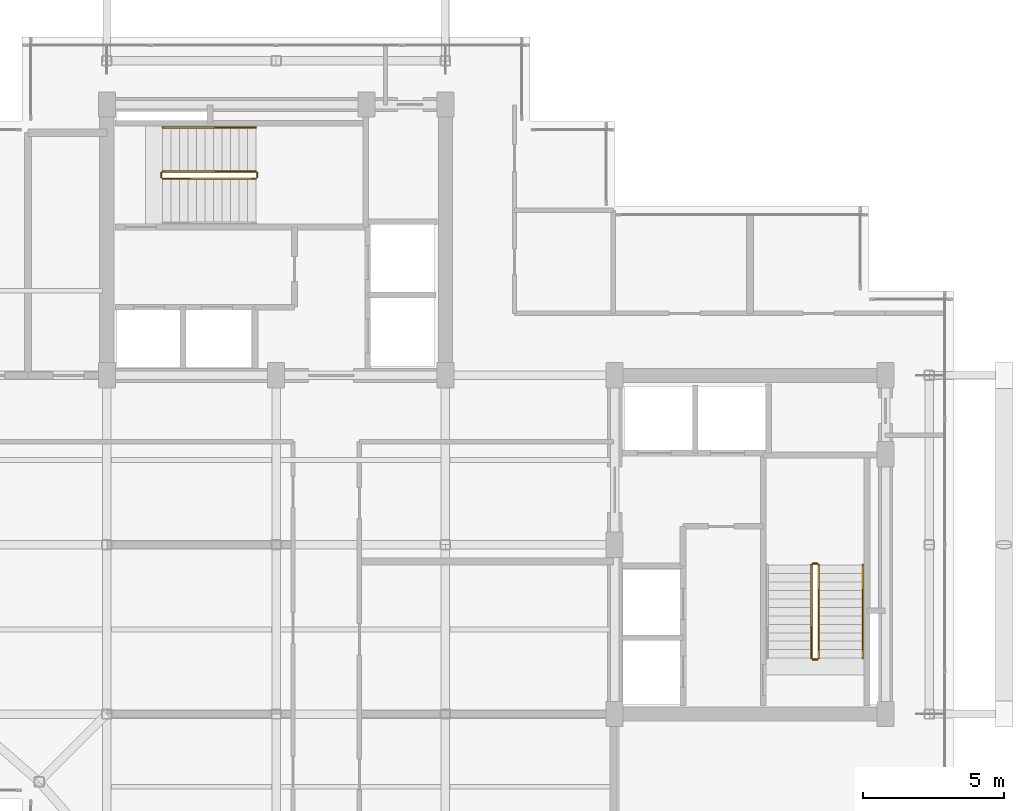
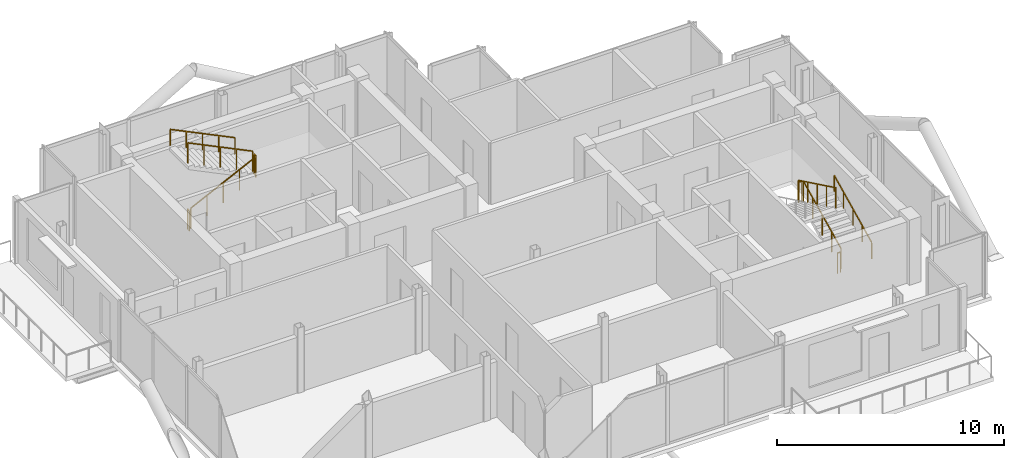
# One storey, part 19 of 19: 10 railings.
"""IFC4 building model written with IfcOpenShell, lengths in metres."""

from ifc_helpers import new_model, si_unit, direction, frame, origin, origin_2d, place, context, subcontext, project, spatial, rectangle, extrude, material, type_object, element, save


model = new_model("IFC4")

# Units and contexts
model_context = context("Model", 3, precision=1e-05, world=origin(), true_north=direction((0.0, 1.0)))
body_context = subcontext(model_context, "Body", "Model", "MODEL_VIEW")
ifc_project = project(units=[si_unit("LENGTHUNIT", "METRE"), si_unit("AREAUNIT", "SQUARE_METRE"), si_unit("VOLUMEUNIT", "CUBIC_METRE"), si_unit("PLANEANGLEUNIT", "RADIAN"), si_unit("MASSUNIT", "GRAM", prefix="KILO"), si_unit("THERMODYNAMICTEMPERATUREUNIT", "KELVIN"), si_unit("POWERUNIT", "WATT")], contexts=[model_context])

# Site, building, storey
site_placement = place(None, origin())
site = spatial("IfcSite", under=ifc_project, at=site_placement, CompositionType="ELEMENT")
building_placement = place(site_placement, origin())
building = spatial("IfcBuilding", under=site, at=building_placement, Name="Svarakhadi Broadcast Tower", CompositionType="ELEMENT")
storey_placement = place(building_placement, frame((0.0, 0.0, 285.199951171875)))
storey = spatial("IfcBuildingStorey", under=building, at=storey_placement, Name="L72", CompositionType="ELEMENT", Elevation=285.199951171875)

# Railings
ifc_material = material(Name="Anodised Bronze Aluminium AA 6063-T6", Category="aluminium")
railing_type_1 = type_object("IfcRailingType", Name="Guard_Stair_GR01", PredefinedType="GUARDRAIL", material=ifc_material)
railing_1_placement = place(storey_placement, frame((7.97998046875, 24.969970703125, 0.14599609375)))
element("IfcRailing", 1, at=railing_1_placement, inside=storey, type_object=railing_type_1, Name="L72 ST-01 stair guard 1", PredefinedType="GUARDRAIL", context=body_context, shape_type="SweptSolid", body=[
    extrude(rectangle(XDim=0.048095703125, YDim=0.048095703125, at=origin_2d()), frame((0.0, 0.0, 1.09619140625), z_axis=(0.899387838337, 0.0, 0.437151594131), x_axis=(0.0, 1.0, 0.0)), (0.0, 0.0, 1.0), 3.669189453125),
    extrude(rectangle(XDim=0.0419921875, YDim=0.0419921875, at=origin_2d()), origin(), (0.0, 0.0, 1.0), 1.072021484375),
    extrude(rectangle(XDim=0.0419921875, YDim=0.0419921875, at=origin_2d()), frame((0.824951171875, 0.0, 0.40087890625)), (0.0, 0.0, 1.0), 1.072021484375),
    extrude(rectangle(XDim=0.0419921875, YDim=0.0419921875, at=origin_2d()), frame((1.64990234375, 0.0, 0.802001953125)), (0.0, 0.0, 1.0), 1.072021484375),
    extrude(rectangle(XDim=0.0419921875, YDim=0.0419921875, at=origin_2d()), frame((2.47509765625, 0.0, 1.203125)), (0.0, 0.0, 1.0), 1.072021484375),
    extrude(rectangle(XDim=0.0419921875, YDim=0.0419921875, at=origin_2d()), frame((3.300048828125, 0.0, 1.60400390625)), (0.0, 0.0, 1.0), 1.072021484375),
])
railing_2_placement = place(storey_placement, frame((11.330078125, 25.02001953125, 1.75)))
element("IfcRailing", 2, at=railing_2_placement, inside=storey, type_object=railing_type_1, Name="L72 ST-01 stair guard 2", PredefinedType="GUARDRAIL", context=body_context, shape_type="SweptSolid", body=[
    extrude(rectangle(XDim=0.048095703125, YDim=0.048095703125, at=origin_2d()), frame((0.0, 0.0, 1.09619140625), z_axis=(0.0, 1.0, 0.0), x_axis=(-1.0, 0.0, 0.0)), (0.0, 0.0, 1.0), 0.159912109375),
    extrude(rectangle(XDim=0.0419921875, YDim=0.0419921875, at=origin_2d()), origin(), (0.0, 0.0, 1.0), 1.072021484375),
    extrude(rectangle(XDim=0.0419921875, YDim=0.0419921875, at=origin_2d()), frame((0.0, 0.159912109375, 0.0)), (0.0, 0.0, 1.0), 1.072021484375),
])
railing_3_placement = place(storey_placement, frame((11.280029296875, 25.22998046875, 1.89599609375)))
element("IfcRailing", 3, at=railing_3_placement, inside=storey, type_object=railing_type_1, Name="L72 ST-01 stair guard 3", PredefinedType="GUARDRAIL", context=body_context, shape_type="SweptSolid", body=[
    extrude(rectangle(XDim=0.048095703125, YDim=0.048095703125, at=origin_2d()), frame((0.0, 0.0, 1.09619140625), z_axis=(-0.899387838337, 0.0, 0.437151594131), x_axis=(0.0, -1.0, 0.0)), (0.0, 0.0, 1.0), 3.669189453125),
    extrude(rectangle(XDim=0.0419921875, YDim=0.0419921875, at=origin_2d()), origin(), (0.0, 0.0, 1.0), 1.072021484375),
    extrude(rectangle(XDim=0.0419921875, YDim=0.0419921875, at=origin_2d()), frame((-0.824951171875, 0.0, 0.40087890625)), (0.0, 0.0, 1.0), 1.072021484375),
    extrude(rectangle(XDim=0.0419921875, YDim=0.0419921875, at=origin_2d()), frame((-1.64990234375, 0.0, 0.802001953125)), (0.0, 0.0, 1.0), 1.072021484375),
    extrude(rectangle(XDim=0.0419921875, YDim=0.0419921875, at=origin_2d()), frame((-2.47509765625, 0.0, 1.203125)), (0.0, 0.0, 1.0), 1.072021484375),
    extrude(rectangle(XDim=0.0419921875, YDim=0.0419921875, at=origin_2d()), frame((-3.300048828125, 0.0, 1.60400390625)), (0.0, 0.0, 1.0), 1.072021484375),
])
railing_4_placement = place(storey_placement, frame((7.929931640625, 25.02001953125, 0.0)))
element("IfcRailing", 4, at=railing_4_placement, inside=storey, type_object=railing_type_1, Name="L72 ST-01 stair guard 4", PredefinedType="GUARDRAIL", context=body_context, shape_type="SweptSolid", body=[
    extrude(rectangle(XDim=0.048095703125, YDim=0.048095703125, at=origin_2d()), frame((0.0, 0.0, 1.09619140625), z_axis=(0.0, 1.0, 0.0), x_axis=(-1.0, 0.0, 0.0)), (0.0, 0.0, 1.0), 0.159912109375),
    extrude(rectangle(XDim=0.0419921875, YDim=0.0419921875, at=origin_2d()), origin(), (0.0, 0.0, 1.0), 1.072021484375),
    extrude(rectangle(XDim=0.0419921875, YDim=0.0419921875, at=origin_2d()), frame((0.0, 0.159912109375, 0.0)), (0.0, 0.0, 1.0), 1.072021484375),
])
railing_5_placement = place(storey_placement, frame((31.22998046875, 7.97998046875, 0.14599609375)))
element("IfcRailing", 5, at=railing_5_placement, inside=storey, type_object=railing_type_1, Name="L72 ST-02 stair guard 1", PredefinedType="GUARDRAIL", context=body_context, shape_type="SweptSolid", body=[
    extrude(rectangle(XDim=0.048095703125, YDim=0.048095703125, at=origin_2d()), frame((0.0, 0.0, 1.09619140625), z_axis=(0.0, 0.899387838337, 0.437151594131), x_axis=(-1.0, 0.0, 0.0)), (0.0, 0.0, 1.0), 3.669189453125),
    extrude(rectangle(XDim=0.0419921875, YDim=0.0419921875, at=origin_2d()), origin(), (0.0, 0.0, 1.0), 1.072021484375),
    extrude(rectangle(XDim=0.0419921875, YDim=0.0419921875, at=origin_2d()), frame((0.0, 0.824951171875, 0.40087890625)), (0.0, 0.0, 1.0), 1.072021484375),
    extrude(rectangle(XDim=0.0419921875, YDim=0.0419921875, at=origin_2d()), frame((0.0, 1.64990234375, 0.802001953125)), (0.0, 0.0, 1.0), 1.072021484375),
    extrude(rectangle(XDim=0.0419921875, YDim=0.0419921875, at=origin_2d()), frame((0.0, 2.47509765625, 1.203125)), (0.0, 0.0, 1.0), 1.072021484375),
    extrude(rectangle(XDim=0.0419921875, YDim=0.0419921875, at=origin_2d()), frame((0.0, 3.300048828125, 1.60400390625)), (0.0, 0.0, 1.0), 1.072021484375),
])
railing_6_placement = place(storey_placement, frame((31.179931640625, 11.330078125, 1.75)))
element("IfcRailing", 6, at=railing_6_placement, inside=storey, type_object=railing_type_1, Name="L72 ST-02 stair guard 2", PredefinedType="GUARDRAIL", context=body_context, shape_type="SweptSolid", body=[
    extrude(rectangle(XDim=0.048095703125, YDim=0.048095703125, at=origin_2d()), frame((0.0, 0.0, 1.09619140625), z_axis=(-1.0, 0.0, 0.0), x_axis=(0.0, -1.0, 0.0)), (0.0, 0.0, 1.0), 0.159912109375),
    extrude(rectangle(XDim=0.0419921875, YDim=0.0419921875, at=origin_2d()), origin(), (0.0, 0.0, 1.0), 1.072021484375),
    extrude(rectangle(XDim=0.0419921875, YDim=0.0419921875, at=origin_2d()), frame((-0.159912109375, 0.0, 0.0)), (0.0, 0.0, 1.0), 1.072021484375),
])
railing_7_placement = place(storey_placement, frame((30.969970703125, 11.280029296875, 1.89599609375)))
element("IfcRailing", 7, at=railing_7_placement, inside=storey, type_object=railing_type_1, Name="L72 ST-02 stair guard 3", PredefinedType="GUARDRAIL", context=body_context, shape_type="SweptSolid", body=[
    extrude(rectangle(XDim=0.048095703125, YDim=0.048095703125, at=origin_2d()), frame((0.0, 0.0, 1.09619140625), z_axis=(0.0, -0.899387838337, 0.437151594131), x_axis=(1.0, 0.0, 0.0)), (0.0, 0.0, 1.0), 3.669189453125),
    extrude(rectangle(XDim=0.0419921875, YDim=0.0419921875, at=origin_2d()), origin(), (0.0, 0.0, 1.0), 1.072021484375),
    extrude(rectangle(XDim=0.0419921875, YDim=0.0419921875, at=origin_2d()), frame((0.0, -0.824951171875, 0.40087890625)), (0.0, 0.0, 1.0), 1.072021484375),
    extrude(rectangle(XDim=0.0419921875, YDim=0.0419921875, at=origin_2d()), frame((0.0, -1.64990234375, 0.802001953125)), (0.0, 0.0, 1.0), 1.072021484375),
    extrude(rectangle(XDim=0.0419921875, YDim=0.0419921875, at=origin_2d()), frame((0.0, -2.47509765625, 1.203125)), (0.0, 0.0, 1.0), 1.072021484375),
    extrude(rectangle(XDim=0.0419921875, YDim=0.0419921875, at=origin_2d()), frame((0.0, -3.300048828125, 1.60400390625)), (0.0, 0.0, 1.0), 1.072021484375),
])
railing_8_placement = place(storey_placement, frame((31.179931640625, 7.929931640625, 0.0)))
element("IfcRailing", 8, at=railing_8_placement, inside=storey, type_object=railing_type_1, Name="L72 ST-02 stair guard 4", PredefinedType="GUARDRAIL", context=body_context, shape_type="SweptSolid", body=[
    extrude(rectangle(XDim=0.048095703125, YDim=0.048095703125, at=origin_2d()), frame((0.0, 0.0, 1.09619140625), z_axis=(-1.0, 0.0, 0.0), x_axis=(0.0, -1.0, 0.0)), (0.0, 0.0, 1.0), 0.159912109375),
    extrude(rectangle(XDim=0.0419921875, YDim=0.0419921875, at=origin_2d()), origin(), (0.0, 0.0, 1.0), 1.072021484375),
    extrude(rectangle(XDim=0.0419921875, YDim=0.0419921875, at=origin_2d()), frame((-0.159912109375, 0.0, 0.0)), (0.0, 0.0, 1.0), 1.072021484375),
])
railing_type_2 = type_object("IfcRailingType", Name="Handrail_Stair_HR01", PredefinedType="HANDRAIL", material=ifc_material)
railing_9_placement = place(storey_placement, frame((11.280029296875, 26.7900390625, 1.89599609375)))
element("IfcRailing", 9, at=railing_9_placement, inside=storey, type_object=railing_type_2, Name="L72 ST-01 stair handrail 2", PredefinedType="HANDRAIL", context=body_context, shape_type="SweptSolid", body=[
    extrude(rectangle(XDim=0.048095703125, YDim=0.048095703125, at=origin_2d()), frame((0.0, 0.0, 0.8759765625), z_axis=(-0.899387838337, 0.0, 0.437151594131), x_axis=(0.0, -1.0, 0.0)), (0.0, 0.0, 1.0), 3.669189453125),
    extrude(rectangle(XDim=0.0419921875, YDim=0.0419921875, at=origin_2d()), origin(), (0.0, 0.0, 1.0), 0.851806640625),
    extrude(rectangle(XDim=0.0419921875, YDim=0.0419921875, at=origin_2d()), frame((-0.824951171875, 0.0, 0.40087890625)), (0.0, 0.0, 1.0), 0.851806640625),
    extrude(rectangle(XDim=0.0419921875, YDim=0.0419921875, at=origin_2d()), frame((-1.64990234375, 0.0, 0.802001953125)), (0.0, 0.0, 1.0), 0.851806640625),
    extrude(rectangle(XDim=0.0419921875, YDim=0.0419921875, at=origin_2d()), frame((-2.47509765625, 0.0, 1.203125)), (0.0, 0.0, 1.0), 0.851806640625),
    extrude(rectangle(XDim=0.0419921875, YDim=0.0419921875, at=origin_2d()), frame((-3.300048828125, 0.0, 1.60400390625)), (0.0, 0.0, 1.0), 0.851806640625),
])
railing_10_placement = place(storey_placement, frame((32.7900390625, 7.97998046875, 0.14599609375)))
element("IfcRailing", 10, at=railing_10_placement, inside=storey, type_object=railing_type_2, Name="L72 ST-02 stair handrail 1", PredefinedType="HANDRAIL", context=body_context, shape_type="SweptSolid", body=[
    extrude(rectangle(XDim=0.048095703125, YDim=0.048095703125, at=origin_2d()), frame((0.0, 0.0, 0.8759765625), z_axis=(0.0, 0.899387838337, 0.437151594131), x_axis=(-1.0, 0.0, 0.0)), (0.0, 0.0, 1.0), 3.669189453125),
    extrude(rectangle(XDim=0.0419921875, YDim=0.0419921875, at=origin_2d()), origin(), (0.0, 0.0, 1.0), 0.851806640625),
    extrude(rectangle(XDim=0.0419921875, YDim=0.0419921875, at=origin_2d()), frame((0.0, 0.824951171875, 0.40087890625)), (0.0, 0.0, 1.0), 0.851806640625),
    extrude(rectangle(XDim=0.0419921875, YDim=0.0419921875, at=origin_2d()), frame((0.0, 1.64990234375, 0.802001953125)), (0.0, 0.0, 1.0), 0.851806640625),
    extrude(rectangle(XDim=0.0419921875, YDim=0.0419921875, at=origin_2d()), frame((0.0, 2.47509765625, 1.203125)), (0.0, 0.0, 1.0), 0.851806640625),
    extrude(rectangle(XDim=0.0419921875, YDim=0.0419921875, at=origin_2d()), frame((0.0, 3.300048828125, 1.60400390625)), (0.0, 0.0, 1.0), 0.851806640625),
])

save(model, "model.ifc")
